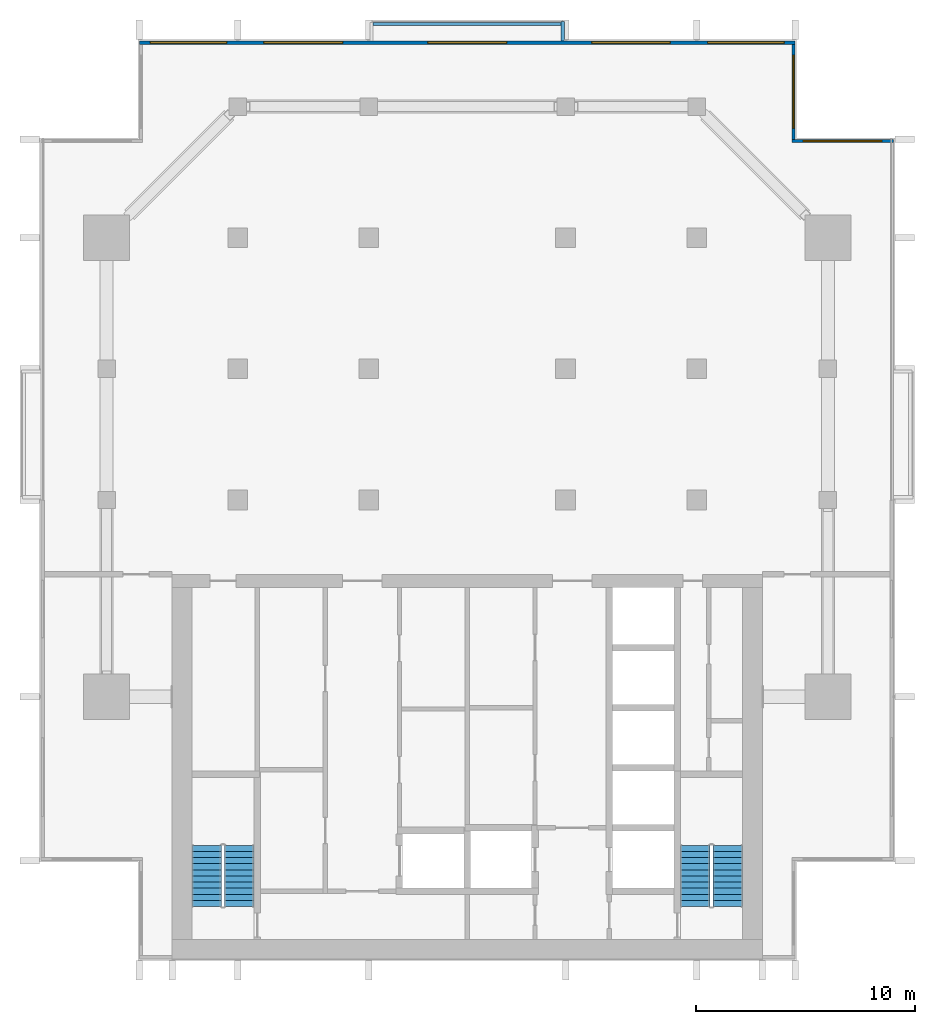
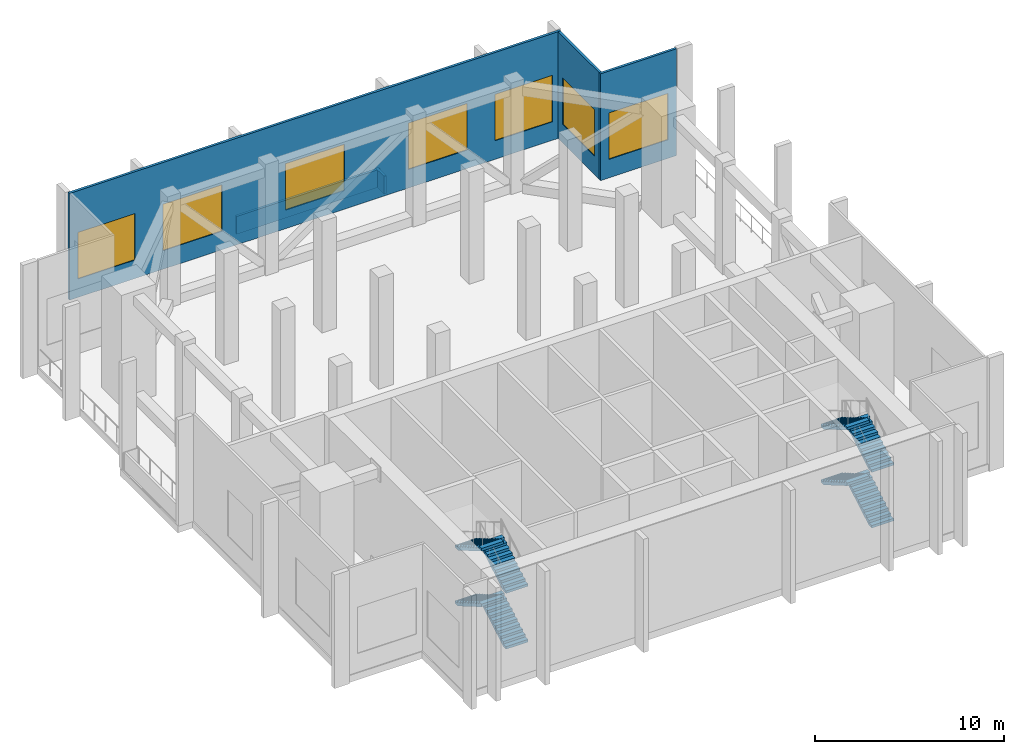
# One storey, part 4 of 9: 8 stair flights, 7 windows, 5 walls, 7 openings, 2 elements without a shape of their own.
"""IFC4 building model written with IfcOpenShell, lengths in metres."""

from ifc_helpers import new_model, si_unit, direction, frame, frame_2d, origin, place, context, subcontext, project, spatial, polyline, rectangle, outline, extrude, material, layer, layer_set, type_object, element, fill, aggregate, save


model = new_model("IFC4")

# Units and contexts
model_context = context("Model", 3, precision=1e-05, world=origin(), true_north=direction((0.0, 1.0)))
body_context = subcontext(model_context, "Body", "Model", "MODEL_VIEW")
ifc_project = project(units=[si_unit("LENGTHUNIT", "METRE"), si_unit("AREAUNIT", "SQUARE_METRE"), si_unit("VOLUMEUNIT", "CUBIC_METRE"), si_unit("PLANEANGLEUNIT", "RADIAN"), si_unit("MASSUNIT", "GRAM", prefix="KILO")], contexts=[model_context])

# Site, building, storey
site_placement = place(None, origin())
site = spatial("IfcSite", under=ifc_project, at=site_placement, CompositionType="ELEMENT")
building_placement = place(site_placement, origin())
building = spatial("IfcBuilding", under=site, at=building_placement, Name="Finial Court Residences", CompositionType="ELEMENT")
storey_placement = place(building_placement, frame((0.0, 0.0, 248.300048828125)))
storey = spatial("IfcBuildingStorey", under=building, at=storey_placement, Name="L63", CompositionType="ELEMENT", Elevation=248.300048828125)

# Walls
ifc_material_1 = material(Name="Concrete C35/45", Category="concrete")
ifc_layer_1 = layer(ifc_material_1, 0.14990234375)
ifc_layer_set_1 = layer_set([ifc_layer_1], Name="Ledge parapet, Concrete C35/45 150")
wall_type_1 = type_object("IfcWallType", Name="Ledge parapet, Concrete C35/45 150", PredefinedType="PARAPET", material=ifc_layer_set_1)
wall_1_placement = place(storey_placement, frame((4.375, 17.39990234375, 0.0), z_axis=(0.0, 0.0, 1.0), x_axis=(0.0, -1.0, 0.0)))
element("IfcWall", 1, at=wall_1_placement, inside=storey, type_object=wall_type_1, Name="E-L63-LED2-P1", PredefinedType="PARAPET", context=body_context, shape_type="SweptSolid", body=[
    extrude(rectangle(XDim=0.889892578125, YDim=0.14990234375, at=frame_2d((0.44482421875, 0.0))), origin(), (0.0, 0.0, 1.0), 1.14990234375),
])
wall_2_placement = place(storey_placement, frame((-4.300048828125, 17.27490234375, 0.0), z_axis=(0.0, 0.0, 1.0), x_axis=(1.0, 0.0, 0.0)))
element("IfcWall", 2, at=wall_2_placement, inside=storey, type_object=wall_type_1, Name="E-L63-LED2-P3", PredefinedType="PARAPET", context=body_context, shape_type="SweptSolid", body=[
    extrude(rectangle(XDim=8.800048828125, YDim=0.14990234375, at=frame_2d((4.39990234375, 0.0))), origin(), (0.0, 0.0, 1.0), 1.14990234375),
])

# Wall, openings, windows
ifc_material_2 = material(Name="Natural limestone", Category="masonry")
ifc_layer_2 = layer(ifc_material_2, 0.14990234375)
ifc_layer_set_2 = layer_set([ifc_layer_2], Name="Plant storey wall, limestone clad 150")
wall_type_2 = type_object("IfcWallType", Name="Plant storey wall, limestone clad 150", PredefinedType="SOLIDWALL", material=ifc_layer_set_2)
wall_3_placement = place(storey_placement, frame((-15.0, 16.425048828125, 0.0), z_axis=(0.0, 0.0, 1.0), x_axis=(1.0, 0.0, 0.0)))
wall_3 = element("IfcWall", 3, at=wall_3_placement, inside=storey, type_object=wall_type_2, Name="E-L63-PWN1", PredefinedType="SOLIDWALL", context=body_context, shape_type="SweptSolid", body=[
    extrude(rectangle(XDim=30.0, YDim=0.14990234375, at=frame_2d((15.0, 0.0))), origin(), (0.0, 0.0, 1.0), 6.89990234375),
])
opening_1_placement = place(wall_3_placement, frame((0.5, 0.0, 1.199951171875)))
opening_1 = element("IfcOpeningElement", 4, at=opening_1_placement, cuts=wall_3, Name="Opening WE63-01", PredefinedType="OPENING", context=body_context, shape_type="SweptSolid", body=[
    extrude(rectangle(XDim=3.5, YDim=3.0, at=frame_2d((1.75, 1.5))), frame((0.0, 0.0849609375, 0.0), z_axis=(0.0, -1.0, 0.0), x_axis=(1.0, 0.0, 0.0)), (0.0, 0.0, 1.0), 0.169921875),
])
opening_2_placement = place(wall_3_placement, frame((5.699951171875, 0.0, 1.199951171875)))
opening_2 = element("IfcOpeningElement", 5, at=opening_2_placement, cuts=wall_3, Name="Opening WE63-02", PredefinedType="OPENING", context=body_context, shape_type="SweptSolid", body=[
    extrude(rectangle(XDim=3.60009765625, YDim=3.0, at=frame_2d((1.800048828125, 1.5))), frame((0.0, 0.0849609375, 0.0), z_axis=(0.0, -1.0, 0.0), x_axis=(1.0, 0.0, 0.0)), (0.0, 0.0, 1.0), 0.169921875),
])
opening_3_placement = place(wall_3_placement, frame((13.199951171875, 0.0, 1.199951171875)))
opening_3 = element("IfcOpeningElement", 6, at=opening_3_placement, cuts=wall_3, Name="Opening WE63-03", PredefinedType="OPENING", context=body_context, shape_type="SweptSolid", body=[
    extrude(rectangle(XDim=3.60009765625, YDim=3.0, at=frame_2d((1.800048828125, 1.5))), frame((0.0, 0.0849609375, 0.0), z_axis=(0.0, -1.0, 0.0), x_axis=(1.0, 0.0, 0.0)), (0.0, 0.0, 1.0), 0.169921875),
])
opening_4_placement = place(wall_3_placement, frame((20.699951171875, 0.0, 1.199951171875)))
opening_4 = element("IfcOpeningElement", 7, at=opening_4_placement, cuts=wall_3, Name="Opening WE63-04", PredefinedType="OPENING", context=body_context, shape_type="SweptSolid", body=[
    extrude(rectangle(XDim=3.60009765625, YDim=3.0, at=frame_2d((1.800048828125, 1.5))), frame((0.0, 0.0849609375, 0.0), z_axis=(0.0, -1.0, 0.0), x_axis=(1.0, 0.0, 0.0)), (0.0, 0.0, 1.0), 0.169921875),
])
opening_5_placement = place(wall_3_placement, frame((26.0, 0.0, 1.199951171875)))
opening_5 = element("IfcOpeningElement", 8, at=opening_5_placement, cuts=wall_3, Name="Opening WE63-05", PredefinedType="OPENING", context=body_context, shape_type="SweptSolid", body=[
    extrude(rectangle(XDim=3.5, YDim=3.0, at=frame_2d((1.75, 1.5))), frame((0.0, 0.0849609375, 0.0), z_axis=(0.0, -1.0, 0.0), x_axis=(1.0, 0.0, 0.0)), (0.0, 0.0, 1.0), 0.169921875),
])
ifc_material_3 = material(Name="Bronze anodised aluminium", Category="aluminium")
window_type_1 = type_object("IfcWindowType", Name="Plant louvre 3500 x 3000", PartitioningType="SINGLE_PANEL", PredefinedType="WINDOW", material=ifc_material_3)
window_1_placement = place(opening_1_placement, origin())
window_1 = element("IfcWindow", 9, at=window_1_placement, inside=storey, type_object=window_type_1, Name="E-L63-PWN1-W1", OverallHeight=3.0, OverallWidth=3.5, PartitioningType="SINGLE_PANEL", PredefinedType="WINDOW", context=body_context, shape_type="SweptSolid", body=[
    extrude(rectangle(XDim=3.5, YDim=3.0, at=frame_2d((1.75, 1.5))), frame((0.0, 0.030029296875, 0.0), z_axis=(0.0, -1.0, 0.0), x_axis=(1.0, 0.0, 0.0)), (0.0, 0.0, 1.0), 0.06005859375),
])
fill(opening_1, window_1)
window_2_placement = place(opening_5_placement, origin())
window_2 = element("IfcWindow", 10, at=window_2_placement, inside=storey, type_object=window_type_1, Name="E-L63-PWN1-W5", OverallHeight=3.0, OverallWidth=3.5, PartitioningType="SINGLE_PANEL", PredefinedType="WINDOW", context=body_context, shape_type="SweptSolid", body=[
    extrude(rectangle(XDim=3.5, YDim=3.0, at=frame_2d((1.75, 1.5))), frame((0.0, 0.030029296875, 0.0), z_axis=(0.0, -1.0, 0.0), x_axis=(1.0, 0.0, 0.0)), (0.0, 0.0, 1.0), 0.06005859375),
])
fill(opening_5, window_2)
window_type_2 = type_object("IfcWindowType", Name="Plant louvre 3600 x 3000", PartitioningType="SINGLE_PANEL", PredefinedType="WINDOW", material=ifc_material_3)
window_3_placement = place(opening_2_placement, origin())
window_3 = element("IfcWindow", 11, at=window_3_placement, inside=storey, type_object=window_type_2, Name="E-L63-PWN1-W2", OverallHeight=3.0, OverallWidth=3.60009765625, PartitioningType="SINGLE_PANEL", PredefinedType="WINDOW", context=body_context, shape_type="SweptSolid", body=[
    extrude(rectangle(XDim=3.60009765625, YDim=3.0, at=frame_2d((1.800048828125, 1.5))), frame((0.0, 0.030029296875, 0.0), z_axis=(0.0, -1.0, 0.0), x_axis=(1.0, 0.0, 0.0)), (0.0, 0.0, 1.0), 0.06005859375),
])
fill(opening_2, window_3)
window_4_placement = place(opening_3_placement, origin())
window_4 = element("IfcWindow", 12, at=window_4_placement, inside=storey, type_object=window_type_2, Name="E-L63-PWN1-W3", OverallHeight=3.0, OverallWidth=3.60009765625, PartitioningType="SINGLE_PANEL", PredefinedType="WINDOW", context=body_context, shape_type="SweptSolid", body=[
    extrude(rectangle(XDim=3.60009765625, YDim=3.0, at=frame_2d((1.800048828125, 1.5))), frame((0.0, 0.030029296875, 0.0), z_axis=(0.0, -1.0, 0.0), x_axis=(1.0, 0.0, 0.0)), (0.0, 0.0, 1.0), 0.06005859375),
])
fill(opening_3, window_4)
window_5_placement = place(opening_4_placement, origin())
window_5 = element("IfcWindow", 13, at=window_5_placement, inside=storey, type_object=window_type_2, Name="E-L63-PWN1-W4", OverallHeight=3.0, OverallWidth=3.60009765625, PartitioningType="SINGLE_PANEL", PredefinedType="WINDOW", context=body_context, shape_type="SweptSolid", body=[
    extrude(rectangle(XDim=3.60009765625, YDim=3.0, at=frame_2d((1.800048828125, 1.5))), frame((0.0, 0.030029296875, 0.0), z_axis=(0.0, -1.0, 0.0), x_axis=(1.0, 0.0, 0.0)), (0.0, 0.0, 1.0), 0.06005859375),
])
fill(opening_4, window_5)

# Wall, opening, window
wall_4_placement = place(storey_placement, frame((14.925048828125, 16.35009765625, 0.0), z_axis=(0.0, 0.0, 1.0), x_axis=(0.0, -1.0, 0.0)))
wall_4 = element("IfcWall", 14, at=wall_4_placement, inside=storey, type_object=wall_type_2, Name="E-L63-PWE12", PredefinedType="SOLIDWALL", context=body_context, shape_type="SweptSolid", body=[
    extrude(rectangle(XDim=4.35009765625, YDim=0.14990234375, at=frame_2d((2.175048828125, 0.0))), origin(), (0.0, 0.0, 1.0), 6.89990234375),
])
opening_6_placement = place(wall_4_placement, frame((0.5, 0.0, 1.199951171875)))
opening_6 = element("IfcOpeningElement", 15, at=opening_6_placement, cuts=wall_4, Name="Opening WE63-16", PredefinedType="OPENING", context=body_context, shape_type="SweptSolid", body=[
    extrude(rectangle(XDim=3.35009765625, YDim=3.0, at=frame_2d((1.675048828125, 1.5))), frame((0.0, 0.0849609375, 0.0), z_axis=(0.0, -1.0, 0.0), x_axis=(1.0, 0.0, 0.0)), (0.0, 0.0, 1.0), 0.169921875),
])
window_type_3 = type_object("IfcWindowType", Name="Plant louvre 3350 x 3000", PartitioningType="SINGLE_PANEL", PredefinedType="WINDOW", material=ifc_material_3)
window_6_placement = place(opening_6_placement, origin())
window_6 = element("IfcWindow", 16, at=window_6_placement, inside=storey, type_object=window_type_3, Name="E-L63-PWE12-W1", OverallHeight=3.0, OverallWidth=3.35009765625, PartitioningType="SINGLE_PANEL", PredefinedType="WINDOW", context=body_context, shape_type="SweptSolid", body=[
    extrude(rectangle(XDim=3.35009765625, YDim=3.0, at=frame_2d((1.675048828125, 1.5))), frame((0.0, 0.030029296875, 0.0), z_axis=(0.0, -1.0, 0.0), x_axis=(1.0, 0.0, 0.0)), (0.0, 0.0, 1.0), 0.06005859375),
])
fill(opening_6, window_6)

wall_5_placement = place(storey_placement, frame((14.85009765625, 11.925048828125, 0.0), z_axis=(0.0, 0.0, 1.0), x_axis=(1.0, 0.0, 0.0)))
wall_5 = element("IfcWall", 17, at=wall_5_placement, inside=storey, type_object=wall_type_2, Name="E-L63-PWN13", PredefinedType="SOLIDWALL", context=body_context, shape_type="SweptSolid", body=[
    extrude(rectangle(XDim=4.64990234375, YDim=0.14990234375, at=frame_2d((2.324951171875, 0.0))), origin(), (0.0, 0.0, 1.0), 6.89990234375),
])
opening_7_placement = place(wall_5_placement, frame((0.52490234375, 0.0, 1.199951171875)))
opening_7 = element("IfcOpeningElement", 18, at=opening_7_placement, cuts=wall_5, Name="Opening WE63-17", PredefinedType="OPENING", context=body_context, shape_type="SweptSolid", body=[
    extrude(rectangle(XDim=3.60009765625, YDim=3.0, at=frame_2d((1.800048828125, 1.5))), frame((0.0, 0.0849609375, 0.0), z_axis=(0.0, -1.0, 0.0), x_axis=(1.0, 0.0, 0.0)), (0.0, 0.0, 1.0), 0.169921875),
])
window_7_placement = place(opening_7_placement, origin())
window_7 = element("IfcWindow", 19, at=window_7_placement, inside=storey, type_object=window_type_2, Name="E-L63-PWN13-W1", OverallHeight=3.0, OverallWidth=3.60009765625, PartitioningType="SINGLE_PANEL", PredefinedType="WINDOW", context=body_context, shape_type="SweptSolid", body=[
    extrude(rectangle(XDim=3.60009765625, YDim=3.0, at=frame_2d((1.800048828125, 1.5))), frame((0.0, 0.030029296875, 0.0), z_axis=(0.0, -1.0, 0.0), x_axis=(1.0, 0.0, 0.0)), (0.0, 0.0, 1.0), 0.06005859375),
])
fill(opening_7, window_7)

# Stair, stair flights
ifc_material_4 = material(Name="Concrete C50/60", Category="concrete")
stair_type = type_object("IfcStairType", Name="Exit stair 44 risers of 163.6 mm", PredefinedType="HALF_TURN_STAIR", material=ifc_material_4)
stair_1_placement = place(storey_placement, origin())
stair_1 = element("IfcStair", 20, at=stair_1_placement, inside=storey, type_object=stair_type, Name="L63 Exit stair ST-1", PredefinedType="HALF_TURN_STAIR")
stair_flight_type = type_object("IfcStairFlightType", Name="Exit stair flight", PredefinedType="STRAIGHT", material=ifc_material_4)
stair_flight_1_placement = place(storey_placement, frame((-10.425048828125, -23.10009765625, 0.0), z_axis=(0.0, 0.0, 1.0), x_axis=(0.0, 1.0, 0.0)))
stair_flight_1 = element("IfcStairFlight", 21, at=stair_flight_1_placement, type_object=stair_flight_type, Name="ST-1 flight 1", NumberOfRisers=11, NumberOfTreads=10, PredefinedType="STRAIGHT", RiserHeight=0.163636364, TreadLength=0.28, context=body_context, shape_type="SweptSolid", body=[
    extrude(outline(polyline([(0.0, 0.0), (0.0, 0.16357421875), (0.280029296875, 0.16357421875), (0.280029296875, 0.327392578125), (0.56005859375, 0.327392578125), (0.56005859375, 0.490966796875), (0.840087890625, 0.490966796875), (0.840087890625, 0.654541015625), (1.1201171875, 0.654541015625), (1.1201171875, 0.818115234375), (1.39990234375, 0.818115234375), (1.39990234375, 0.98193359375), (1.679931640625, 0.98193359375), (1.679931640625, 1.1455078125), (1.9599609375, 1.1455078125), (1.9599609375, 1.30908203125), (2.239990234375, 1.30908203125), (2.239990234375, 1.47265625), (2.52001953125, 1.47265625), (2.52001953125, 1.636474609375), (2.800048828125, 1.636474609375), (2.800048828125, 1.800048828125), (2.800048828125, 1.462646484375), (0.297119140625, 0.0), (0.0, 0.0)])), frame((0.0, 0.675048828125, 0.0), z_axis=(0.0, -1.0, 0.0), x_axis=(1.0, 0.0, 0.0)), (0.0, 0.0, 1.0), 1.35009765625),
])
stair_flight_2_placement = place(storey_placement, frame((-11.925048828125, -20.300048828125, 1.800048828125), z_axis=(0.0, 0.0, 1.0), x_axis=(0.0, -1.0, 0.0)))
stair_flight_2 = element("IfcStairFlight", 22, at=stair_flight_2_placement, type_object=stair_flight_type, Name="ST-1 flight 2", NumberOfRisers=11, NumberOfTreads=10, PredefinedType="STRAIGHT", RiserHeight=0.163636364, TreadLength=0.28, context=body_context, shape_type="SweptSolid", body=[
    extrude(outline(polyline([(0.0, 0.0), (0.0, 0.16357421875), (0.280029296875, 0.16357421875), (0.280029296875, 0.327392578125), (0.56005859375, 0.327392578125), (0.56005859375, 0.490966796875), (0.840087890625, 0.490966796875), (0.840087890625, 0.654541015625), (1.1201171875, 0.654541015625), (1.1201171875, 0.818115234375), (1.39990234375, 0.818115234375), (1.39990234375, 0.98193359375), (1.679931640625, 0.98193359375), (1.679931640625, 1.1455078125), (1.9599609375, 1.1455078125), (1.9599609375, 1.30908203125), (2.239990234375, 1.30908203125), (2.239990234375, 1.47265625), (2.52001953125, 1.47265625), (2.52001953125, 1.636474609375), (2.800048828125, 1.636474609375), (2.800048828125, 1.800048828125), (2.800048828125, 1.462646484375), (0.297119140625, 0.0), (0.0, 0.0)])), frame((0.0, 0.675048828125, 0.0), z_axis=(0.0, -1.0, 0.0), x_axis=(1.0, 0.0, 0.0)), (0.0, 0.0, 1.0), 1.35009765625),
])
stair_flight_3_placement = place(storey_placement, frame((-10.425048828125, -23.10009765625, 3.599853515625), z_axis=(0.0, 0.0, 1.0), x_axis=(0.0, 1.0, 0.0)))
stair_flight_3 = element("IfcStairFlight", 23, at=stair_flight_3_placement, type_object=stair_flight_type, Name="ST-1 flight 3", NumberOfRisers=11, NumberOfTreads=10, PredefinedType="STRAIGHT", RiserHeight=0.163636364, TreadLength=0.28, context=body_context, shape_type="SweptSolid", body=[
    extrude(outline(polyline([(0.0, 0.0), (0.0, 0.16357421875), (0.280029296875, 0.16357421875), (0.280029296875, 0.327392578125), (0.56005859375, 0.327392578125), (0.56005859375, 0.490966796875), (0.840087890625, 0.490966796875), (0.840087890625, 0.654541015625), (1.1201171875, 0.654541015625), (1.1201171875, 0.818115234375), (1.39990234375, 0.818115234375), (1.39990234375, 0.98193359375), (1.679931640625, 0.98193359375), (1.679931640625, 1.1455078125), (1.9599609375, 1.1455078125), (1.9599609375, 1.30908203125), (2.239990234375, 1.30908203125), (2.239990234375, 1.47265625), (2.52001953125, 1.47265625), (2.52001953125, 1.636474609375), (2.800048828125, 1.636474609375), (2.800048828125, 1.800048828125), (2.800048828125, 1.462646484375), (0.297119140625, 0.0), (0.0, 0.0)])), frame((0.0, 0.675048828125, 0.0), z_axis=(0.0, -1.0, 0.0), x_axis=(1.0, 0.0, 0.0)), (0.0, 0.0, 1.0), 1.35009765625),
])
stair_flight_4_placement = place(storey_placement, frame((-11.925048828125, -20.300048828125, 5.39990234375), z_axis=(0.0, 0.0, 1.0), x_axis=(0.0, -1.0, 0.0)))
stair_flight_4 = element("IfcStairFlight", 24, at=stair_flight_4_placement, type_object=stair_flight_type, Name="ST-1 flight 4", NumberOfRisers=11, NumberOfTreads=10, PredefinedType="STRAIGHT", RiserHeight=0.163636364, TreadLength=0.28, context=body_context, shape_type="SweptSolid", body=[
    extrude(outline(polyline([(0.0, 0.0), (0.0, 0.16357421875), (0.280029296875, 0.16357421875), (0.280029296875, 0.327392578125), (0.56005859375, 0.327392578125), (0.56005859375, 0.490966796875), (0.840087890625, 0.490966796875), (0.840087890625, 0.654541015625), (1.1201171875, 0.654541015625), (1.1201171875, 0.818115234375), (1.39990234375, 0.818115234375), (1.39990234375, 0.98193359375), (1.679931640625, 0.98193359375), (1.679931640625, 1.1455078125), (1.9599609375, 1.1455078125), (1.9599609375, 1.30908203125), (2.239990234375, 1.30908203125), (2.239990234375, 1.47265625), (2.52001953125, 1.47265625), (2.52001953125, 1.636474609375), (2.800048828125, 1.636474609375), (2.800048828125, 1.800048828125), (2.800048828125, 1.462646484375), (0.297119140625, 0.0), (0.0, 0.0)])), frame((0.0, 0.675048828125, 0.0), z_axis=(0.0, -1.0, 0.0), x_axis=(1.0, 0.0, 0.0)), (0.0, 0.0, 1.0), 1.35009765625),
])
aggregate(stair_1, [stair_flight_1, stair_flight_2, stair_flight_3, stair_flight_4])

stair_2_placement = place(storey_placement, origin())
stair_2 = element("IfcStair", 25, at=stair_2_placement, inside=storey, type_object=stair_type, Name="L63 Exit stair ST-2", PredefinedType="HALF_TURN_STAIR")
stair_flight_5_placement = place(storey_placement, frame((11.925048828125, -23.10009765625, 0.0), z_axis=(0.0, 0.0, 1.0), x_axis=(0.0, 1.0, 0.0)))
stair_flight_5 = element("IfcStairFlight", 26, at=stair_flight_5_placement, type_object=stair_flight_type, Name="ST-2 flight 1", NumberOfRisers=11, NumberOfTreads=10, PredefinedType="STRAIGHT", RiserHeight=0.163636364, TreadLength=0.28, context=body_context, shape_type="SweptSolid", body=[
    extrude(outline(polyline([(0.0, 0.0), (0.0, 0.16357421875), (0.280029296875, 0.16357421875), (0.280029296875, 0.327392578125), (0.56005859375, 0.327392578125), (0.56005859375, 0.490966796875), (0.840087890625, 0.490966796875), (0.840087890625, 0.654541015625), (1.1201171875, 0.654541015625), (1.1201171875, 0.818115234375), (1.39990234375, 0.818115234375), (1.39990234375, 0.98193359375), (1.679931640625, 0.98193359375), (1.679931640625, 1.1455078125), (1.9599609375, 1.1455078125), (1.9599609375, 1.30908203125), (2.239990234375, 1.30908203125), (2.239990234375, 1.47265625), (2.52001953125, 1.47265625), (2.52001953125, 1.636474609375), (2.800048828125, 1.636474609375), (2.800048828125, 1.800048828125), (2.800048828125, 1.462646484375), (0.297119140625, 0.0), (0.0, 0.0)])), frame((0.0, 0.675048828125, 0.0), z_axis=(0.0, -1.0, 0.0), x_axis=(1.0, 0.0, 0.0)), (0.0, 0.0, 1.0), 1.35009765625),
])
stair_flight_6_placement = place(storey_placement, frame((10.425048828125, -20.300048828125, 1.800048828125), z_axis=(0.0, 0.0, 1.0), x_axis=(0.0, -1.0, 0.0)))
stair_flight_6 = element("IfcStairFlight", 27, at=stair_flight_6_placement, type_object=stair_flight_type, Name="ST-2 flight 2", NumberOfRisers=11, NumberOfTreads=10, PredefinedType="STRAIGHT", RiserHeight=0.163636364, TreadLength=0.28, context=body_context, shape_type="SweptSolid", body=[
    extrude(outline(polyline([(0.0, 0.0), (0.0, 0.16357421875), (0.280029296875, 0.16357421875), (0.280029296875, 0.327392578125), (0.56005859375, 0.327392578125), (0.56005859375, 0.490966796875), (0.840087890625, 0.490966796875), (0.840087890625, 0.654541015625), (1.1201171875, 0.654541015625), (1.1201171875, 0.818115234375), (1.39990234375, 0.818115234375), (1.39990234375, 0.98193359375), (1.679931640625, 0.98193359375), (1.679931640625, 1.1455078125), (1.9599609375, 1.1455078125), (1.9599609375, 1.30908203125), (2.239990234375, 1.30908203125), (2.239990234375, 1.47265625), (2.52001953125, 1.47265625), (2.52001953125, 1.636474609375), (2.800048828125, 1.636474609375), (2.800048828125, 1.800048828125), (2.800048828125, 1.462646484375), (0.297119140625, 0.0), (0.0, 0.0)])), frame((0.0, 0.675048828125, 0.0), z_axis=(0.0, -1.0, 0.0), x_axis=(1.0, 0.0, 0.0)), (0.0, 0.0, 1.0), 1.35009765625),
])
stair_flight_7_placement = place(storey_placement, frame((11.925048828125, -23.10009765625, 3.599853515625), z_axis=(0.0, 0.0, 1.0), x_axis=(0.0, 1.0, 0.0)))
stair_flight_7 = element("IfcStairFlight", 28, at=stair_flight_7_placement, type_object=stair_flight_type, Name="ST-2 flight 3", NumberOfRisers=11, NumberOfTreads=10, PredefinedType="STRAIGHT", RiserHeight=0.163636364, TreadLength=0.28, context=body_context, shape_type="SweptSolid", body=[
    extrude(outline(polyline([(0.0, 0.0), (0.0, 0.16357421875), (0.280029296875, 0.16357421875), (0.280029296875, 0.327392578125), (0.56005859375, 0.327392578125), (0.56005859375, 0.490966796875), (0.840087890625, 0.490966796875), (0.840087890625, 0.654541015625), (1.1201171875, 0.654541015625), (1.1201171875, 0.818115234375), (1.39990234375, 0.818115234375), (1.39990234375, 0.98193359375), (1.679931640625, 0.98193359375), (1.679931640625, 1.1455078125), (1.9599609375, 1.1455078125), (1.9599609375, 1.30908203125), (2.239990234375, 1.30908203125), (2.239990234375, 1.47265625), (2.52001953125, 1.47265625), (2.52001953125, 1.636474609375), (2.800048828125, 1.636474609375), (2.800048828125, 1.800048828125), (2.800048828125, 1.462646484375), (0.297119140625, 0.0), (0.0, 0.0)])), frame((0.0, 0.675048828125, 0.0), z_axis=(0.0, -1.0, 0.0), x_axis=(1.0, 0.0, 0.0)), (0.0, 0.0, 1.0), 1.35009765625),
])
stair_flight_8_placement = place(storey_placement, frame((10.425048828125, -20.300048828125, 5.39990234375), z_axis=(0.0, 0.0, 1.0), x_axis=(0.0, -1.0, 0.0)))
stair_flight_8 = element("IfcStairFlight", 29, at=stair_flight_8_placement, type_object=stair_flight_type, Name="ST-2 flight 4", NumberOfRisers=11, NumberOfTreads=10, PredefinedType="STRAIGHT", RiserHeight=0.163636364, TreadLength=0.28, context=body_context, shape_type="SweptSolid", body=[
    extrude(outline(polyline([(0.0, 0.0), (0.0, 0.16357421875), (0.280029296875, 0.16357421875), (0.280029296875, 0.327392578125), (0.56005859375, 0.327392578125), (0.56005859375, 0.490966796875), (0.840087890625, 0.490966796875), (0.840087890625, 0.654541015625), (1.1201171875, 0.654541015625), (1.1201171875, 0.818115234375), (1.39990234375, 0.818115234375), (1.39990234375, 0.98193359375), (1.679931640625, 0.98193359375), (1.679931640625, 1.1455078125), (1.9599609375, 1.1455078125), (1.9599609375, 1.30908203125), (2.239990234375, 1.30908203125), (2.239990234375, 1.47265625), (2.52001953125, 1.47265625), (2.52001953125, 1.636474609375), (2.800048828125, 1.636474609375), (2.800048828125, 1.800048828125), (2.800048828125, 1.462646484375), (0.297119140625, 0.0), (0.0, 0.0)])), frame((0.0, 0.675048828125, 0.0), z_axis=(0.0, -1.0, 0.0), x_axis=(1.0, 0.0, 0.0)), (0.0, 0.0, 1.0), 1.35009765625),
])
aggregate(stair_2, [stair_flight_5, stair_flight_6, stair_flight_7, stair_flight_8])

save(model, "model.ifc")
